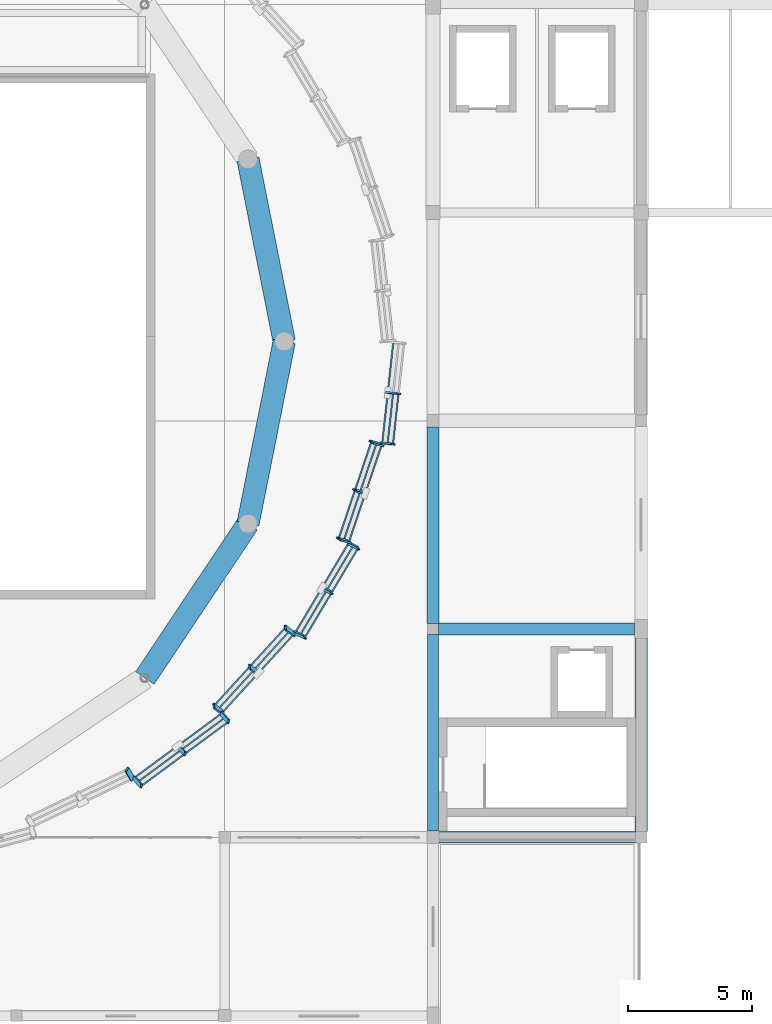
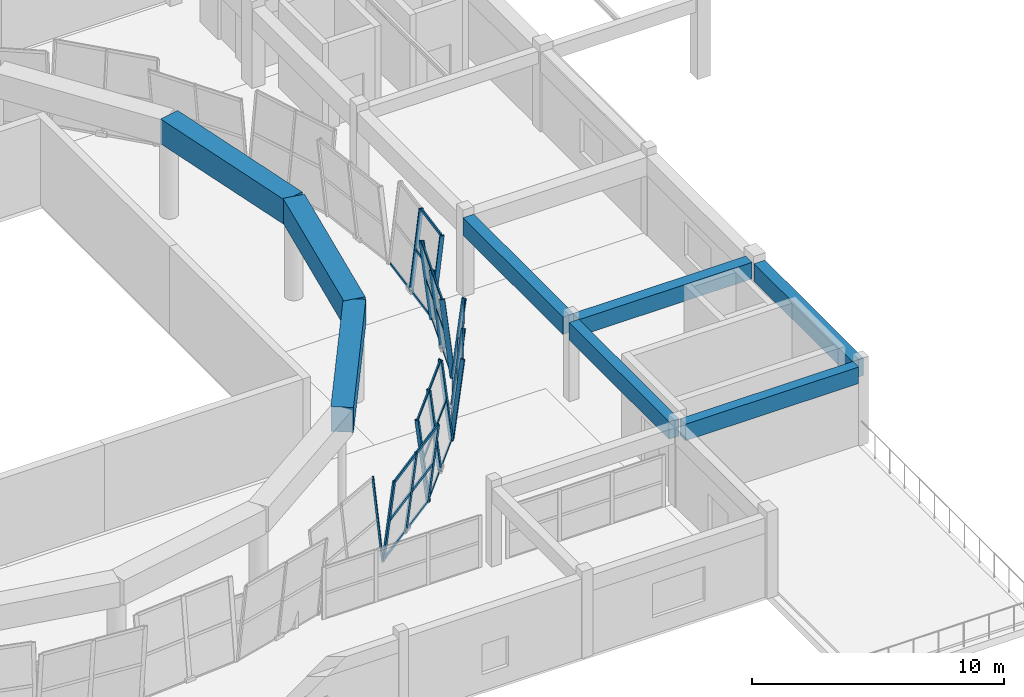
# One storey, part 19 of 40: 43 members, 8 beams, 6 elements without a shape of their own.
"""IFC4 building model written with IfcOpenShell, lengths in metres."""

from ifc_helpers import new_model, si_unit, direction, frame, origin, origin_2d, place, context, subcontext, project, spatial, rectangle, hollow_rectangle, extrude, material, material_profile, profile_set, type_object, element, aggregate, save


model = new_model("IFC4")

# Units and contexts
model_context = context("Model", 3, precision=1e-05, world=origin(), true_north=direction((0.0, 1.0)))
body_context = subcontext(model_context, "Body", "Model", "MODEL_VIEW")
ifc_project = project(units=[si_unit("LENGTHUNIT", "METRE"), si_unit("AREAUNIT", "SQUARE_METRE"), si_unit("VOLUMEUNIT", "CUBIC_METRE"), si_unit("PLANEANGLEUNIT", "RADIAN"), si_unit("MASSUNIT", "GRAM", prefix="KILO")], contexts=[model_context])

# Site, building, storey
site_placement = place(None, origin())
site = spatial("IfcSite", under=ifc_project, at=site_placement, CompositionType="ELEMENT")
building_placement = place(site_placement, origin())
building = spatial("IfcBuilding", under=site, at=building_placement, Name="Korsvaeld Concert Hall", CompositionType="ELEMENT")
storey_placement = place(building_placement, frame((0.0, 0.0, 13.199951171875)))
storey = spatial("IfcBuildingStorey", under=building, at=storey_placement, Name="L03", CompositionType="ELEMENT", Elevation=13.199951171875)

# Beams
ifc_material_1 = material(Name="Concrete C35/45", Category="concrete")
ifc_material_profile_1 = material_profile(ifc_material_1, rectangle(XDim=0.449951171875, YDim=0.800048828125, at=origin_2d()), Name="RC 450x800")
ifc_profile_set_1 = profile_set([ifc_material_profile_1], Name="Concrete C35/45")
beam_type_1 = type_object("IfcBeamType", Name="BM-RC-450x800", PredefinedType="T_BEAM", material=ifc_profile_set_1)
beam_1_placement = place(storey_placement, frame((109.449951171875, 43.199951171875, 3.43994140625), z_axis=(1.0, 0.0, 0.0), x_axis=(0.0, 1.0, 0.0)))
element("IfcBeam", 1, at=beam_1_placement, inside=storey, type_object=beam_type_1, Name="Primary girder 15-16/G L03", PredefinedType="T_BEAM", context=body_context, shape_type="SweptSolid", body=[
    extrude(rectangle(XDim=0.449951171875, YDim=0.800048828125, at=origin_2d()), origin(), (0.0, 0.0, 1.0), 7.925048828125),
])
ifc_material_2 = material(Name="Concrete C40/50", Category="concrete")
ifc_material_profile_2 = material_profile(ifc_material_2, rectangle(XDim=0.449951171875, YDim=0.85009765625, at=origin_2d()), Name="RC 450x850")
ifc_profile_set_2 = profile_set([ifc_material_profile_2], Name="Concrete C40/50")
beam_type_2 = type_object("IfcBeamType", Name="BM-RC-450x850", PredefinedType="T_BEAM", material=ifc_profile_set_2)
beam_2_placement = place(storey_placement, frame((109.199951171875, 43.449951171875, 3.4150390625), z_axis=(0.0, 1.0, 0.0), x_axis=(-1.0, 0.0, 0.0)))
element("IfcBeam", 2, at=beam_2_placement, inside=storey, type_object=beam_type_2, Name="Primary girder 15/G-H L03", PredefinedType="T_BEAM", context=body_context, shape_type="SweptSolid", body=[
    extrude(rectangle(XDim=0.449951171875, YDim=0.85009765625, at=origin_2d()), origin(), (0.0, 0.0, 1.0), 7.925048828125),
])
ifc_material_profile_3 = material_profile(ifc_material_2, rectangle(XDim=0.5, YDim=0.800048828125, at=origin_2d()), Name="RC 500x800")
ifc_profile_set_3 = profile_set([ifc_material_profile_3], Name="Concrete C40/50")
beam_type_3 = type_object("IfcBeamType", Name="BM-RC-500x800", PredefinedType="T_BEAM", material=ifc_profile_set_3)
beam_3_placement = place(storey_placement, frame((109.425048828125, 51.60009765625, 3.43994140625), z_axis=(1.0, 0.0, 0.0), x_axis=(0.0, 1.0, 0.0)))
element("IfcBeam", 3, at=beam_3_placement, inside=storey, type_object=beam_type_3, Name="Primary girder 15-16/H L03", PredefinedType="T_BEAM", context=body_context, shape_type="SweptSolid", body=[
    extrude(rectangle(XDim=0.5, YDim=0.800048828125, at=origin_2d()), origin(), (0.0, 0.0, 1.0), 7.89990234375),
])
ifc_material_profile_4 = material_profile(ifc_material_2, rectangle(XDim=0.5, YDim=0.85009765625, at=origin_2d()), Name="RC 500x850")
ifc_profile_set_4 = profile_set([ifc_material_profile_4], Name="Concrete C40/50")
beam_type_4 = type_object("IfcBeamType", Name="BM-RC-500x850", PredefinedType="T_BEAM", material=ifc_profile_set_4)
beam_4_placement = place(storey_placement, frame((109.199951171875, 51.824951171875, 3.4150390625), z_axis=(0.0, 1.0, 0.0), x_axis=(-1.0, 0.0, 0.0)))
element("IfcBeam", 4, at=beam_4_placement, inside=storey, type_object=beam_type_4, Name="Primary girder 15/H-J L03", PredefinedType="T_BEAM", context=body_context, shape_type="SweptSolid", body=[
    extrude(rectangle(XDim=0.5, YDim=0.85009765625, at=origin_2d()), origin(), (0.0, 0.0, 1.0), 7.925048828125),
])
beam_5_placement = place(storey_placement, frame((117.60009765625, 43.425048828125, 3.4150390625), z_axis=(0.0, 1.0, 0.0), x_axis=(-1.0, 0.0, 0.0)))
element("IfcBeam", 5, at=beam_5_placement, inside=storey, type_object=beam_type_4, Name="Primary girder 16/G-H L03", PredefinedType="T_BEAM", context=body_context, shape_type="SweptSolid", body=[
    extrude(rectangle(XDim=0.5, YDim=0.85009765625, at=origin_2d()), origin(), (0.0, 0.0, 1.0), 7.800048828125),
])
ifc_material_profile_5 = material_profile(ifc_material_2, rectangle(XDim=0.89990234375, YDim=1.199951171875, at=origin_2d()), Name="RC 900x1200")
ifc_profile_set_5 = profile_set([ifc_material_profile_5], Name="Concrete C40/50")
beam_type_5 = type_object("IfcBeamType", Name="BM-RING-RC900x1200", PredefinedType="USERDEFINED", material=ifc_profile_set_5)
beam_6_placement = place(storey_placement, frame((103.199951171875, 63.199951171875, 4.199951171875), z_axis=(-0.195075694595, 0.980788189865, 0.0), x_axis=(-0.980788189865, -0.195075694595, 0.0)))
element("IfcBeam", 6, at=beam_6_placement, inside=storey, type_object=beam_type_5, Name="Main Hall C40/50 drum ring beam segment 01", ObjectType="RING BEAM", PredefinedType="USERDEFINED", context=body_context, shape_type="SweptSolid", body=[
    extrude(rectangle(XDim=0.89990234375, YDim=1.199951171875, at=origin_2d()), origin(), (0.0, 0.0, 1.0), 7.49169921875),
])
for number, where, z_axis, x_axis, name in (
    (7, (97.576416015625, 49.62353515625, 4.199951171875), (0.555572265942, 0.831468253944, 0.0), (-0.831468253944, 0.555572265942, 0.0), "Main Hall C40/50 drum ring beam segment 15"),
    (8, (101.738525390625, 55.8525390625, 4.199951171875), (0.195081929911, 0.980786949659, 0.0), (-0.980786949659, 0.195081929911, 0.0), "Main Hall C40/50 drum ring beam segment 16"),
):
    element("IfcBeam", number, at=place(storey_placement, frame(where, z_axis=z_axis, x_axis=x_axis)), inside=storey, type_object=beam_type_5, Name=name, ObjectType="RING BEAM", PredefinedType="USERDEFINED", context=body_context, shape_type="SweptSolid", body=[
        extrude(rectangle(XDim=0.89990234375, YDim=1.199951171875, at=origin_2d()), origin(), (0.0, 0.0, 1.0), 7.491455078125),
    ])

# Curtain wall, members
ifc_material_3 = material(Name="Anodised bronze and ceramic-fritted safety glass", Category="glass")
curtain_wall_type_1 = type_object("IfcCurtainWallType", Name="CW-TYPE-04", PredefinedType="USERDEFINED", material=ifc_material_3)
curtain_wall_1_placement = place(storey_placement, origin())
curtain_wall_1 = element("IfcCurtainWall", 9, at=curtain_wall_1_placement, inside=storey, type_object=curtain_wall_type_1, Name="Crystal curtain-wall facet L03 F28", ObjectType="CURTAIN WALL", PredefinedType="USERDEFINED")
ifc_material_4 = material(Name="Anodised architectural bronze aluminium", Category="aluminium")
ifc_material_profile_6 = material_profile(ifc_material_4, hollow_rectangle(XDim=0.074951171875, YDim=0.179931640625, WallThickness=0.0048828125, at=origin_2d()), Name="CWM 180x75x5")
ifc_profile_set_6 = profile_set([ifc_material_profile_6], Name="Anodised architectural bronze aluminium")
member_type_1 = type_object("IfcMemberType", Name="CWM-BRONZE-180x75", PredefinedType="MULLION", material=ifc_profile_set_6)
member_1_placement = place(storey_placement, frame((97.1416015625, 45.594970703125, 0.0), z_axis=(0.076395052006, -0.083521922651, 0.993573290938), x_axis=(-0.977623464331, 0.189609480621, 0.091107666238)))
member_1 = element("IfcMember", 10, at=member_1_placement, type_object=member_type_1, Name="CW-CRYS-L03-F28 crystal mullion 1", PredefinedType="MULLION", context=body_context, shape_type="SweptSolid", body=[
    extrude(hollow_rectangle(XDim=0.074951171875, YDim=0.179931640625, WallThickness=0.0048828125, at=origin_2d()), origin(), (0.0, 0.0, 1.0), 3.9052734375),
])
member_2_placement = place(storey_placement, frame((98.899658203125, 46.89111328125, 0.0), z_axis=(0.076332501289, -0.083584401493, 0.993572844372), x_axis=(-0.977474975154, 0.190371981092, 0.091110821329)))
member_2 = element("IfcMember", 11, at=member_2_placement, type_object=member_type_1, Name="CW-CRYS-L03-F28 crystal mullion 2", PredefinedType="MULLION", context=body_context, shape_type="SweptSolid", body=[
    extrude(hollow_rectangle(XDim=0.074951171875, YDim=0.179931640625, WallThickness=0.0048828125, at=origin_2d()), origin(), (0.0, 0.0, 1.0), 3.9052734375),
])
member_3_placement = place(storey_placement, frame((100.657470703125, 48.18701171875, 0.0), z_axis=(0.076394652963, -0.083584002465, 0.993568101104), x_axis=(-0.977549926724, 0.189970662094, 0.09114432679)))
member_3 = element("IfcMember", 12, at=member_3_placement, type_object=member_type_1, Name="CW-CRYS-L03-F28 crystal mullion 3", PredefinedType="MULLION", context=body_context, shape_type="SweptSolid", body=[
    extrude(hollow_rectangle(XDim=0.074951171875, YDim=0.179931640625, WallThickness=0.0048828125, at=origin_2d()), origin(), (0.0, 0.0, 1.0), 3.9052734375),
])

curtain_wall_type_2 = type_object("IfcCurtainWallType", Name="CW-TYPE-06", PredefinedType="USERDEFINED", material=ifc_material_3)
curtain_wall_2_placement = place(storey_placement, origin())
curtain_wall_2 = element("IfcCurtainWall", 13, at=curtain_wall_2_placement, inside=storey, type_object=curtain_wall_type_2, Name="Crystal curtain-wall facet L03 F30", ObjectType="CURTAIN WALL", PredefinedType="USERDEFINED")
member_4_placement = place(storey_placement, frame((103.641845703125, 51.4541015625, 0.0), z_axis=(0.102026799703, -0.049012874367, 0.993573485097), x_axis=(-0.830085935221, -0.554623592574, 0.057879277021)))
member_4 = element("IfcMember", 14, at=member_4_placement, type_object=member_type_1, Name="CW-CRYS-L03-F30 crystal mullion 1", PredefinedType="MULLION", context=body_context, shape_type="SweptSolid", body=[
    extrude(hollow_rectangle(XDim=0.074951171875, YDim=0.179931640625, WallThickness=0.0048828125, at=origin_2d()), origin(), (0.0, 0.0, 1.0), 3.9052734375),
])
member_5_placement = place(storey_placement, frame((104.713134765625, 53.25439453125, 0.0), z_axis=(0.102027112126, -0.04895050784, 0.993576527588), x_axis=(-0.829811048286, -0.55503620991, 0.057865618728)))
member_5 = element("IfcMember", 15, at=member_5_placement, type_object=member_type_1, Name="CW-CRYS-L03-F30 crystal mullion 2", PredefinedType="MULLION", context=body_context, shape_type="SweptSolid", body=[
    extrude(hollow_rectangle(XDim=0.074951171875, YDim=0.179931640625, WallThickness=0.0048828125, at=origin_2d()), origin(), (0.0, 0.0, 1.0), 3.9052734375),
])
member_6_placement = place(storey_placement, frame((105.784423828125, 55.054931640625, 0.0), z_axis=(0.102026799703, -0.049012874367, 0.993573485097), x_axis=(-0.830085935221, -0.554623592574, 0.057879277021)))
member_6 = element("IfcMember", 16, at=member_6_placement, type_object=member_type_1, Name="CW-CRYS-L03-F30 crystal mullion 3", PredefinedType="MULLION", context=body_context, shape_type="SweptSolid", body=[
    extrude(hollow_rectangle(XDim=0.074951171875, YDim=0.179931640625, WallThickness=0.0048828125, at=origin_2d()), origin(), (0.0, 0.0, 1.0), 3.9052734375),
])

curtain_wall_type_3 = type_object("IfcCurtainWallType", Name="CW-TYPE-08", PredefinedType="USERDEFINED", material=ifc_material_3)
curtain_wall_3_placement = place(storey_placement, origin())
curtain_wall_3 = element("IfcCurtainWall", 17, at=curtain_wall_3_placement, inside=storey, type_object=curtain_wall_type_3, Name="Crystal curtain-wall facet L03 F32", ObjectType="CURTAIN WALL", PredefinedType="USERDEFINED")
member_7_placement = place(storey_placement, frame((107.150634765625, 59.101318359375, 0.0), z_axis=(0.112717546093, -0.009940149655, 0.99357734889), x_axis=(-0.195199737597, -0.980685957693, 0.012333483899)))
member_7 = element("IfcMember", 18, at=member_7_placement, type_object=member_type_1, Name="CW-CRYS-L03-F32 crystal mullion 1", PredefinedType="MULLION", context=body_context, shape_type="SweptSolid", body=[
    extrude(hollow_rectangle(XDim=0.074951171875, YDim=0.179931640625, WallThickness=0.0048828125, at=origin_2d()), origin(), (0.0, 0.0, 1.0), 3.9052734375),
])
member_8_placement = place(storey_placement, frame((107.373291015625, 61.132080078125, 0.0), z_axis=(0.112779197512, -0.01000258958, 0.993569726195), x_axis=(-0.195690716426, -0.980588011718, 0.012340777107)))
member_8 = element("IfcMember", 19, at=member_8_placement, type_object=member_type_1, Name="CW-CRYS-L03-F32 crystal mullion 2", PredefinedType="MULLION", context=body_context, shape_type="SweptSolid", body=[
    extrude(hollow_rectangle(XDim=0.074951171875, YDim=0.179931640625, WallThickness=0.0048828125, at=origin_2d()), origin(), (0.0, 0.0, 1.0), 3.9052734375),
])

# Curtain wall, member
curtain_wall_type_4 = type_object("IfcCurtainWallType", Name="CW-TYPE-03", PredefinedType="USERDEFINED", material=ifc_material_3)
curtain_wall_4_placement = place(storey_placement, origin())
curtain_wall_4 = element("IfcCurtainWall", 20, at=curtain_wall_4_placement, inside=storey, type_object=curtain_wall_type_4, Name="Crystal curtain-wall facet L03 F27", ObjectType="CURTAIN WALL", PredefinedType="USERDEFINED")
ifc_material_profile_7 = material_profile(ifc_material_4, hollow_rectangle(XDim=0.074951171875, YDim=0.219970703125, WallThickness=0.006103515625, at=origin_2d()), Name="CWM 220x75x6")
ifc_profile_set_7 = profile_set([ifc_material_profile_7], Name="Anodised architectural bronze aluminium")
member_type_2 = type_object("IfcMemberType", Name="CWM-BRONZE-220x75", PredefinedType="MULLION", material=ifc_profile_set_7)
member_9_placement = place(storey_placement, frame((97.07763671875, 45.556640625, 0.0), z_axis=(-0.057890146021, 0.097275450549, 0.993572452172), x_axis=(0.829999508119, -0.548349795161, 0.102045669527)))
member_9 = element("IfcMember", 21, at=member_9_placement, type_object=member_type_2, Name="CW-CRYS-L03-F27 crystal mullion 3", PredefinedType="MULLION", context=body_context, shape_type="SweptSolid", body=[
    extrude(hollow_rectangle(XDim=0.074951171875, YDim=0.219970703125, WallThickness=0.006103515625, at=origin_2d()), origin(), (0.0, 0.0, 1.0), 3.9052734375),
])
aggregate(curtain_wall_4, [member_9])

# Curtain wall, members
curtain_wall_type_5 = type_object("IfcCurtainWallType", Name="CW-TYPE-05", PredefinedType="USERDEFINED", material=ifc_material_3)
curtain_wall_5_placement = place(storey_placement, origin())
curtain_wall_5 = element("IfcCurtainWall", 22, at=curtain_wall_5_placement, inside=storey, type_object=curtain_wall_type_5, Name="Crystal curtain-wall facet L03 F29", ObjectType="CURTAIN WALL", PredefinedType="USERDEFINED")
member_10_placement = place(storey_placement, frame((100.712890625, 48.237060546875, 0.0), z_axis=(-0.091086738346, 0.067142866838, 0.993576892611), x_axis=(0.97750040667, 0.196640579934, 0.076324552298)))
member_10 = element("IfcMember", 23, at=member_10_placement, type_object=member_type_2, Name="CW-CRYS-L03-F29 crystal mullion 1", PredefinedType="MULLION", context=body_context, shape_type="SweptSolid", body=[
    extrude(hollow_rectangle(XDim=0.074951171875, YDim=0.219970703125, WallThickness=0.006103515625, at=origin_2d()), origin(), (0.0, 0.0, 1.0), 3.9052734375),
])
member_11_placement = place(storey_placement, frame((102.1552734375, 49.815673828125, 0.0), z_axis=(-0.091148735765, 0.06714248437, 0.993571232857), x_axis=(0.977432849257, 0.196963121799, 0.076358063387)))
member_11 = element("IfcMember", 24, at=member_11_placement, type_object=member_type_2, Name="CW-CRYS-L03-F29 crystal mullion 2", PredefinedType="MULLION", context=body_context, shape_type="SweptSolid", body=[
    extrude(hollow_rectangle(XDim=0.074951171875, YDim=0.219970703125, WallThickness=0.006103515625, at=origin_2d()), origin(), (0.0, 0.0, 1.0), 3.9052734375),
])
member_12_placement = place(storey_placement, frame((103.597412109375, 51.394287109375, 0.0), z_axis=(-0.091086738346, 0.067142866838, 0.993576892611), x_axis=(0.97750040667, 0.196640579934, 0.076324552298)))
member_12 = element("IfcMember", 25, at=member_12_placement, type_object=member_type_2, Name="CW-CRYS-L03-F29 crystal mullion 3", PredefinedType="MULLION", context=body_context, shape_type="SweptSolid", body=[
    extrude(hollow_rectangle(XDim=0.074951171875, YDim=0.219970703125, WallThickness=0.006103515625, at=origin_2d()), origin(), (0.0, 0.0, 1.0), 3.9052734375),
])

curtain_wall_type_6 = type_object("IfcCurtainWallType", Name="CW-TYPE-07", PredefinedType="USERDEFINED", material=ifc_material_3)
curtain_wall_6_placement = place(storey_placement, origin())
curtain_wall_6 = element("IfcCurtainWall", 26, at=curtain_wall_6_placement, inside=storey, type_object=curtain_wall_type_6, Name="Crystal curtain-wall facet L03 F31", ObjectType="CURTAIN WALL", PredefinedType="USERDEFINED")
member_13_placement = place(storey_placement, frame((105.815673828125, 55.12255859375, 0.0), z_axis=(-0.109216080383, 0.029757787214, 0.993572504594), x_axis=(0.555751717741, 0.83055918565, 0.036214187285)))
member_13 = element("IfcMember", 27, at=member_13_placement, type_object=member_type_2, Name="CW-CRYS-L03-F31 crystal mullion 1", PredefinedType="MULLION", context=body_context, shape_type="SweptSolid", body=[
    extrude(hollow_rectangle(XDim=0.074951171875, YDim=0.219970703125, WallThickness=0.006103515625, at=origin_2d()), origin(), (0.0, 0.0, 1.0), 3.9052734375),
])
member_14_placement = place(storey_placement, frame((106.47509765625, 57.07568359375, 0.0), z_axis=(-0.109216080383, 0.029757787214, 0.993572504594), x_axis=(0.555751717741, 0.83055918565, 0.036214187285)))
member_14 = element("IfcMember", 28, at=member_14_placement, type_object=member_type_2, Name="CW-CRYS-L03-F31 crystal mullion 2", PredefinedType="MULLION", context=body_context, shape_type="SweptSolid", body=[
    extrude(hollow_rectangle(XDim=0.074951171875, YDim=0.219970703125, WallThickness=0.006103515625, at=origin_2d()), origin(), (0.0, 0.0, 1.0), 3.9052734375),
])
member_15_placement = place(storey_placement, frame((107.134521484375, 59.028564453125, 0.0), z_axis=(-0.109216080383, 0.029757787214, 0.993572504594), x_axis=(0.555751717741, 0.83055918565, 0.036214187285)))
member_15 = element("IfcMember", 29, at=member_15_placement, type_object=member_type_2, Name="CW-CRYS-L03-F31 crystal mullion 3", PredefinedType="MULLION", context=body_context, shape_type="SweptSolid", body=[
    extrude(hollow_rectangle(XDim=0.074951171875, YDim=0.219970703125, WallThickness=0.006103515625, at=origin_2d()), origin(), (0.0, 0.0, 1.0), 3.9052734375),
])

# Member
ifc_material_profile_8 = material_profile(ifc_material_4, hollow_rectangle(XDim=0.06005859375, YDim=0.139892578125, WallThickness=0.00390625, at=origin_2d()), Name="CWT 140x60x4")
ifc_profile_set_8 = profile_set([ifc_material_profile_8], Name="Anodised architectural bronze aluminium")
member_type_3 = type_object("IfcMemberType", Name="CWT-BRONZE-140x60", PredefinedType="USERDEFINED", material=ifc_profile_set_8)
member_16_placement = place(storey_placement, frame((97.174072265625, 45.61474609375, 0.030029296875), z_axis=(0.804945265899, 0.593349070031, 0.0), x_axis=(-0.593349070031, 0.804945265899, 0.0)))
member_16 = element("IfcMember", 30, at=member_16_placement, type_object=member_type_3, Name="CW-CRYS-L03-F28 crystal transom 1.1", ObjectType="TRANSOM", PredefinedType="USERDEFINED", context=body_context, shape_type="SweptSolid", body=[
    extrude(hollow_rectangle(XDim=0.06005859375, YDim=0.139892578125, WallThickness=0.00390625, at=origin_2d()), origin(), (0.0, 0.0, 1.0), 2.109130859375),
])

member_17_placement = place(storey_placement, frame((97.321044921875, 45.4541015625, 1.93994140625), z_axis=(0.804904507896, 0.593404358906, 0.0), x_axis=(-0.593404358906, 0.804904507896, 0.0)))
member_17 = element("IfcMember", 31, at=member_17_placement, type_object=member_type_3, Name="CW-CRYS-L03-F28 crystal transom 1.2", ObjectType="TRANSOM", PredefinedType="USERDEFINED", context=body_context, shape_type="SweptSolid", body=[
    extrude(hollow_rectangle(XDim=0.06005859375, YDim=0.139892578125, WallThickness=0.00390625, at=origin_2d()), origin(), (0.0, 0.0, 1.0), 2.10888671875),
])

member_18_placement = place(storey_placement, frame((97.4677734375, 45.29345703125, 3.85009765625), z_axis=(0.804904507896, 0.593404358906, 0.0), x_axis=(-0.593404358906, 0.804904507896, 0.0)))
member_18 = element("IfcMember", 32, at=member_18_placement, type_object=member_type_3, Name="CW-CRYS-L03-F28 crystal transom 1.3", ObjectType="TRANSOM", PredefinedType="USERDEFINED", context=body_context, shape_type="SweptSolid", body=[
    extrude(hollow_rectangle(XDim=0.06005859375, YDim=0.139892578125, WallThickness=0.00390625, at=origin_2d()), origin(), (0.0, 0.0, 1.0), 2.10888671875),
])

member_19_placement = place(storey_placement, frame((98.93212890625, 46.910888671875, 0.030029296875), z_axis=(0.804904507896, 0.593404358906, 0.0), x_axis=(-0.593404358906, 0.804904507896, 0.0)))
member_19 = element("IfcMember", 33, at=member_19_placement, type_object=member_type_3, Name="CW-CRYS-L03-F28 crystal transom 2.1", ObjectType="TRANSOM", PredefinedType="USERDEFINED", context=body_context, shape_type="SweptSolid", body=[
    extrude(hollow_rectangle(XDim=0.06005859375, YDim=0.139892578125, WallThickness=0.00390625, at=origin_2d()), origin(), (0.0, 0.0, 1.0), 2.10888671875),
])

member_20_placement = place(storey_placement, frame((99.078857421875, 46.75, 1.93994140625), z_axis=(0.804849215574, 0.593479351107, 0.0), x_axis=(-0.593479351107, 0.804849215574, 0.0)))
member_20 = element("IfcMember", 34, at=member_20_placement, type_object=member_type_3, Name="CW-CRYS-L03-F28 crystal transom 2.2", ObjectType="TRANSOM", PredefinedType="USERDEFINED", context=body_context, shape_type="SweptSolid", body=[
    extrude(hollow_rectangle(XDim=0.06005859375, YDim=0.139892578125, WallThickness=0.00390625, at=origin_2d()), origin(), (0.0, 0.0, 1.0), 2.109130859375),
])

member_21_placement = place(storey_placement, frame((99.2255859375, 46.58935546875, 3.85009765625), z_axis=(0.804904507896, 0.593404358906, 0.0), x_axis=(-0.593404358906, 0.804904507896, 0.0)))
member_21 = element("IfcMember", 35, at=member_21_placement, type_object=member_type_3, Name="CW-CRYS-L03-F28 crystal transom 2.3", ObjectType="TRANSOM", PredefinedType="USERDEFINED", context=body_context, shape_type="SweptSolid", body=[
    extrude(hollow_rectangle(XDim=0.06005859375, YDim=0.139892578125, WallThickness=0.00390625, at=origin_2d()), origin(), (0.0, 0.0, 1.0), 2.10888671875),
])

aggregate(curtain_wall_1, [member_1, member_2, member_3, member_16, member_17, member_18, member_19, member_20, member_21])

member_22_placement = place(storey_placement, frame((100.735595703125, 48.2666015625, 0.030029296875), z_axis=(0.674437681465, 0.738331777604, 0.0), x_axis=(-0.738331777604, 0.674437681465, 0.0)))
member_22 = element("IfcMember", 36, at=member_22_placement, type_object=member_type_3, Name="CW-CRYS-L03-F29 crystal transom 1.1", ObjectType="TRANSOM", PredefinedType="USERDEFINED", context=body_context, shape_type="SweptSolid", body=[
    extrude(hollow_rectangle(XDim=0.06005859375, YDim=0.139892578125, WallThickness=0.00390625, at=origin_2d()), origin(), (0.0, 0.0, 1.0), 2.063232421875),
])

member_23_placement = place(storey_placement, frame((100.560302734375, 48.395751953125, 1.93994140625), z_axis=(0.674437681465, 0.738331777604, 0.0), x_axis=(-0.738331777604, 0.674437681465, 0.0)))
member_23 = element("IfcMember", 37, at=member_23_placement, type_object=member_type_3, Name="CW-CRYS-L03-F29 crystal transom 1.2", ObjectType="TRANSOM", PredefinedType="USERDEFINED", context=body_context, shape_type="SweptSolid", body=[
    extrude(hollow_rectangle(XDim=0.06005859375, YDim=0.139892578125, WallThickness=0.00390625, at=origin_2d()), origin(), (0.0, 0.0, 1.0), 2.063232421875),
])

member_24_placement = place(storey_placement, frame((100.38525390625, 48.52490234375, 3.85009765625), z_axis=(0.674496604142, 0.738277949692, 0.0), x_axis=(-0.738277949692, 0.674496604142, 0.0)))
member_24 = element("IfcMember", 38, at=member_24_placement, type_object=member_type_3, Name="CW-CRYS-L03-F29 crystal transom 1.3", ObjectType="TRANSOM", PredefinedType="USERDEFINED", context=body_context, shape_type="SweptSolid", body=[
    extrude(hollow_rectangle(XDim=0.06005859375, YDim=0.139892578125, WallThickness=0.00390625, at=origin_2d()), origin(), (0.0, 0.0, 1.0), 2.063232421875),
])

member_25_placement = place(storey_placement, frame((102.177734375, 49.84521484375, 0.030029296875), z_axis=(0.674437681465, 0.738331777604, 0.0), x_axis=(-0.738331777604, 0.674437681465, 0.0)))
member_25 = element("IfcMember", 39, at=member_25_placement, type_object=member_type_3, Name="CW-CRYS-L03-F29 crystal transom 2.1", ObjectType="TRANSOM", PredefinedType="USERDEFINED", context=body_context, shape_type="SweptSolid", body=[
    extrude(hollow_rectangle(XDim=0.06005859375, YDim=0.139892578125, WallThickness=0.00390625, at=origin_2d()), origin(), (0.0, 0.0, 1.0), 2.063232421875),
])

member_26_placement = place(storey_placement, frame((102.002685546875, 49.974365234375, 1.93994140625), z_axis=(0.674437681465, 0.738331777604, 0.0), x_axis=(-0.738331777604, 0.674437681465, 0.0)))
member_26 = element("IfcMember", 40, at=member_26_placement, type_object=member_type_3, Name="CW-CRYS-L03-F29 crystal transom 2.2", ObjectType="TRANSOM", PredefinedType="USERDEFINED", context=body_context, shape_type="SweptSolid", body=[
    extrude(hollow_rectangle(XDim=0.06005859375, YDim=0.139892578125, WallThickness=0.00390625, at=origin_2d()), origin(), (0.0, 0.0, 1.0), 2.063232421875),
])

member_27_placement = place(storey_placement, frame((101.827392578125, 50.103515625, 3.85009765625), z_axis=(0.674496604142, 0.738277949692, 0.0), x_axis=(-0.738277949692, 0.674496604142, 0.0)))
member_27 = element("IfcMember", 41, at=member_27_placement, type_object=member_type_3, Name="CW-CRYS-L03-F29 crystal transom 2.3", ObjectType="TRANSOM", PredefinedType="USERDEFINED", context=body_context, shape_type="SweptSolid", body=[
    extrude(hollow_rectangle(XDim=0.06005859375, YDim=0.139892578125, WallThickness=0.00390625, at=origin_2d()), origin(), (0.0, 0.0, 1.0), 2.063232421875),
])

aggregate(curtain_wall_5, [member_10, member_11, member_12, member_22, member_23, member_24, member_25, member_26, member_27])

member_28_placement = place(storey_placement, frame((103.6640625, 51.48486328125, 0.030029296875), z_axis=(0.511381861684, 0.859353589357, 0.0), x_axis=(-0.859353589357, 0.511381861684, 0.0)))
member_28 = element("IfcMember", 42, at=member_28_placement, type_object=member_type_3, Name="CW-CRYS-L03-F30 crystal transom 1.1", ObjectType="TRANSOM", PredefinedType="USERDEFINED", context=body_context, shape_type="SweptSolid", body=[
    extrude(hollow_rectangle(XDim=0.06005859375, YDim=0.139892578125, WallThickness=0.00390625, at=origin_2d()), origin(), (0.0, 0.0, 1.0), 2.02001953125),
])

member_29_placement = place(storey_placement, frame((103.8603515625, 51.390625, 1.93994140625), z_axis=(0.511328750939, 0.859385192136, 0.0), x_axis=(-0.859385192136, 0.511328750939, 0.0)))
member_29 = element("IfcMember", 43, at=member_29_placement, type_object=member_type_3, Name="CW-CRYS-L03-F30 crystal transom 1.2", ObjectType="TRANSOM", PredefinedType="USERDEFINED", context=body_context, shape_type="SweptSolid", body=[
    extrude(hollow_rectangle(XDim=0.06005859375, YDim=0.139892578125, WallThickness=0.00390625, at=origin_2d()), origin(), (0.0, 0.0, 1.0), 2.020263671875),
])

member_30_placement = place(storey_placement, frame((104.056396484375, 51.29638671875, 3.85009765625), z_axis=(0.511328750939, 0.859385192136, 0.0), x_axis=(-0.859385192136, 0.511328750939, 0.0)))
member_30 = element("IfcMember", 44, at=member_30_placement, type_object=member_type_3, Name="CW-CRYS-L03-F30 crystal transom 1.3", ObjectType="TRANSOM", PredefinedType="USERDEFINED", context=body_context, shape_type="SweptSolid", body=[
    extrude(hollow_rectangle(XDim=0.06005859375, YDim=0.139892578125, WallThickness=0.00390625, at=origin_2d()), origin(), (0.0, 0.0, 1.0), 2.020263671875),
])

member_31_placement = place(storey_placement, frame((104.7353515625, 53.28515625, 0.030029296875), z_axis=(0.511328750939, 0.859385192136, 0.0), x_axis=(-0.859385192136, 0.511328750939, 0.0)))
member_31 = element("IfcMember", 45, at=member_31_placement, type_object=member_type_3, Name="CW-CRYS-L03-F30 crystal transom 2.1", ObjectType="TRANSOM", PredefinedType="USERDEFINED", context=body_context, shape_type="SweptSolid", body=[
    extrude(hollow_rectangle(XDim=0.06005859375, YDim=0.139892578125, WallThickness=0.00390625, at=origin_2d()), origin(), (0.0, 0.0, 1.0), 2.020263671875),
])

member_32_placement = place(storey_placement, frame((104.931640625, 53.191162109375, 1.93994140625), z_axis=(0.511381861684, 0.859353589357, 0.0), x_axis=(-0.859353589357, 0.511381861684, 0.0)))
member_32 = element("IfcMember", 46, at=member_32_placement, type_object=member_type_3, Name="CW-CRYS-L03-F30 crystal transom 2.2", ObjectType="TRANSOM", PredefinedType="USERDEFINED", context=body_context, shape_type="SweptSolid", body=[
    extrude(hollow_rectangle(XDim=0.06005859375, YDim=0.139892578125, WallThickness=0.00390625, at=origin_2d()), origin(), (0.0, 0.0, 1.0), 2.02001953125),
])

member_33_placement = place(storey_placement, frame((105.127685546875, 53.096923828125, 3.85009765625), z_axis=(0.511381861684, 0.859353589357, 0.0), x_axis=(-0.859353589357, 0.511381861684, 0.0)))
member_33 = element("IfcMember", 47, at=member_33_placement, type_object=member_type_3, Name="CW-CRYS-L03-F30 crystal transom 2.3", ObjectType="TRANSOM", PredefinedType="USERDEFINED", context=body_context, shape_type="SweptSolid", body=[
    extrude(hollow_rectangle(XDim=0.06005859375, YDim=0.139892578125, WallThickness=0.00390625, at=origin_2d()), origin(), (0.0, 0.0, 1.0), 2.02001953125),
])

aggregate(curtain_wall_2, [member_4, member_5, member_6, member_28, member_29, member_30, member_31, member_32, member_33])

member_34_placement = place(storey_placement, frame((105.82421875, 55.1591796875, 0.030029296875), z_axis=(0.319949676143, 0.947434538497, 0.0), x_axis=(-0.947434538497, 0.319949676143, 0.0)))
member_34 = element("IfcMember", 48, at=member_34_placement, type_object=member_type_3, Name="CW-CRYS-L03-F31 crystal transom 1.1", ObjectType="TRANSOM", PredefinedType="USERDEFINED", context=body_context, shape_type="SweptSolid", body=[
    extrude(hollow_rectangle(XDim=0.06005859375, YDim=0.139892578125, WallThickness=0.00390625, at=origin_2d()), origin(), (0.0, 0.0, 1.0), 1.986328125),
])

member_35_placement = place(storey_placement, frame((105.6142578125, 55.21630859375, 1.93994140625), z_axis=(0.319949676143, 0.947434538497, 0.0), x_axis=(-0.947434538497, 0.319949676143, 0.0)))
member_35 = element("IfcMember", 49, at=member_35_placement, type_object=member_type_3, Name="CW-CRYS-L03-F31 crystal transom 1.2", ObjectType="TRANSOM", PredefinedType="USERDEFINED", context=body_context, shape_type="SweptSolid", body=[
    extrude(hollow_rectangle(XDim=0.06005859375, YDim=0.139892578125, WallThickness=0.00390625, at=origin_2d()), origin(), (0.0, 0.0, 1.0), 1.986328125),
])

member_36_placement = place(storey_placement, frame((105.404296875, 55.2734375, 3.85009765625), z_axis=(0.319912420616, 0.947447118912, 0.0), x_axis=(-0.947447118912, 0.319912420616, 0.0)))
member_36 = element("IfcMember", 50, at=member_36_placement, type_object=member_type_3, Name="CW-CRYS-L03-F31 crystal transom 1.3", ObjectType="TRANSOM", PredefinedType="USERDEFINED", context=body_context, shape_type="SweptSolid", body=[
    extrude(hollow_rectangle(XDim=0.06005859375, YDim=0.139892578125, WallThickness=0.00390625, at=origin_2d()), origin(), (0.0, 0.0, 1.0), 1.986572265625),
])

member_37_placement = place(storey_placement, frame((106.483642578125, 57.112060546875, 0.030029296875), z_axis=(0.319949676143, 0.947434538497, 0.0), x_axis=(-0.947434538497, 0.319949676143, 0.0)))
member_37 = element("IfcMember", 51, at=member_37_placement, type_object=member_type_3, Name="CW-CRYS-L03-F31 crystal transom 2.1", ObjectType="TRANSOM", PredefinedType="USERDEFINED", context=body_context, shape_type="SweptSolid", body=[
    extrude(hollow_rectangle(XDim=0.06005859375, YDim=0.139892578125, WallThickness=0.00390625, at=origin_2d()), origin(), (0.0, 0.0, 1.0), 1.986328125),
])

member_38_placement = place(storey_placement, frame((106.273681640625, 57.169189453125, 1.93994140625), z_axis=(0.319912420616, 0.947447118912, 0.0), x_axis=(-0.947447118912, 0.319912420616, 0.0)))
member_38 = element("IfcMember", 52, at=member_38_placement, type_object=member_type_3, Name="CW-CRYS-L03-F31 crystal transom 2.2", ObjectType="TRANSOM", PredefinedType="USERDEFINED", context=body_context, shape_type="SweptSolid", body=[
    extrude(hollow_rectangle(XDim=0.06005859375, YDim=0.139892578125, WallThickness=0.00390625, at=origin_2d()), origin(), (0.0, 0.0, 1.0), 1.986572265625),
])

member_39_placement = place(storey_placement, frame((106.063720703125, 57.2265625, 3.85009765625), z_axis=(0.319949676143, 0.947434538497, 0.0), x_axis=(-0.947434538497, 0.319949676143, 0.0)))
member_39 = element("IfcMember", 53, at=member_39_placement, type_object=member_type_3, Name="CW-CRYS-L03-F31 crystal transom 2.3", ObjectType="TRANSOM", PredefinedType="USERDEFINED", context=body_context, shape_type="SweptSolid", body=[
    extrude(hollow_rectangle(XDim=0.06005859375, YDim=0.139892578125, WallThickness=0.00390625, at=origin_2d()), origin(), (0.0, 0.0, 1.0), 1.986328125),
])

aggregate(curtain_wall_6, [member_13, member_14, member_15, member_34, member_35, member_36, member_37, member_38, member_39])

member_40_placement = place(storey_placement, frame((107.157958984375, 59.138427734375, 0.030029296875), z_axis=(0.10905607732, 0.99403559896, 0.0), x_axis=(-0.99403559896, 0.10905607732, 0.0)))
member_40 = element("IfcMember", 54, at=member_40_placement, type_object=member_type_3, Name="CW-CRYS-L03-F32 crystal transom 1.1", ObjectType="TRANSOM", PredefinedType="USERDEFINED", context=body_context, shape_type="SweptSolid", body=[
    extrude(hollow_rectangle(XDim=0.06005859375, YDim=0.139892578125, WallThickness=0.00390625, at=origin_2d()), origin(), (0.0, 0.0, 1.0), 1.9677734375),
])

member_41_placement = place(storey_placement, frame((107.374755859375, 59.119140625, 1.93994140625), z_axis=(0.10905607732, 0.99403559896, 0.0), x_axis=(-0.99403559896, 0.10905607732, 0.0)))
member_41 = element("IfcMember", 55, at=member_41_placement, type_object=member_type_3, Name="CW-CRYS-L03-F32 crystal transom 1.2", ObjectType="TRANSOM", PredefinedType="USERDEFINED", context=body_context, shape_type="SweptSolid", body=[
    extrude(hollow_rectangle(XDim=0.06005859375, YDim=0.139892578125, WallThickness=0.00390625, at=origin_2d()), origin(), (0.0, 0.0, 1.0), 1.9677734375),
])

member_42_placement = place(storey_placement, frame((107.591552734375, 59.10009765625, 3.85009765625), z_axis=(0.10905607732, 0.99403559896, 0.0), x_axis=(-0.99403559896, 0.10905607732, 0.0)))
member_42 = element("IfcMember", 56, at=member_42_placement, type_object=member_type_3, Name="CW-CRYS-L03-F32 crystal transom 1.3", ObjectType="TRANSOM", PredefinedType="USERDEFINED", context=body_context, shape_type="SweptSolid", body=[
    extrude(hollow_rectangle(XDim=0.06005859375, YDim=0.139892578125, WallThickness=0.00390625, at=origin_2d()), origin(), (0.0, 0.0, 1.0), 1.9677734375),
])

member_43_placement = place(storey_placement, frame((107.380859375, 61.1689453125, 0.030029296875), z_axis=(0.108920048755, 0.994050513294, 0.0), x_axis=(-0.994050513294, 0.108920048755, 0.0)))
member_43 = element("IfcMember", 57, at=member_43_placement, type_object=member_type_3, Name="CW-CRYS-L03-F32 crystal transom 2.1", ObjectType="TRANSOM", PredefinedType="USERDEFINED", context=body_context, shape_type="SweptSolid", body=[
    extrude(hollow_rectangle(XDim=0.06005859375, YDim=0.139892578125, WallThickness=0.00390625, at=origin_2d()), origin(), (0.0, 0.0, 1.0), 1.968017578125),
])

aggregate(curtain_wall_3, [member_7, member_8, member_40, member_41, member_42, member_43])

save(model, "model.ifc")
